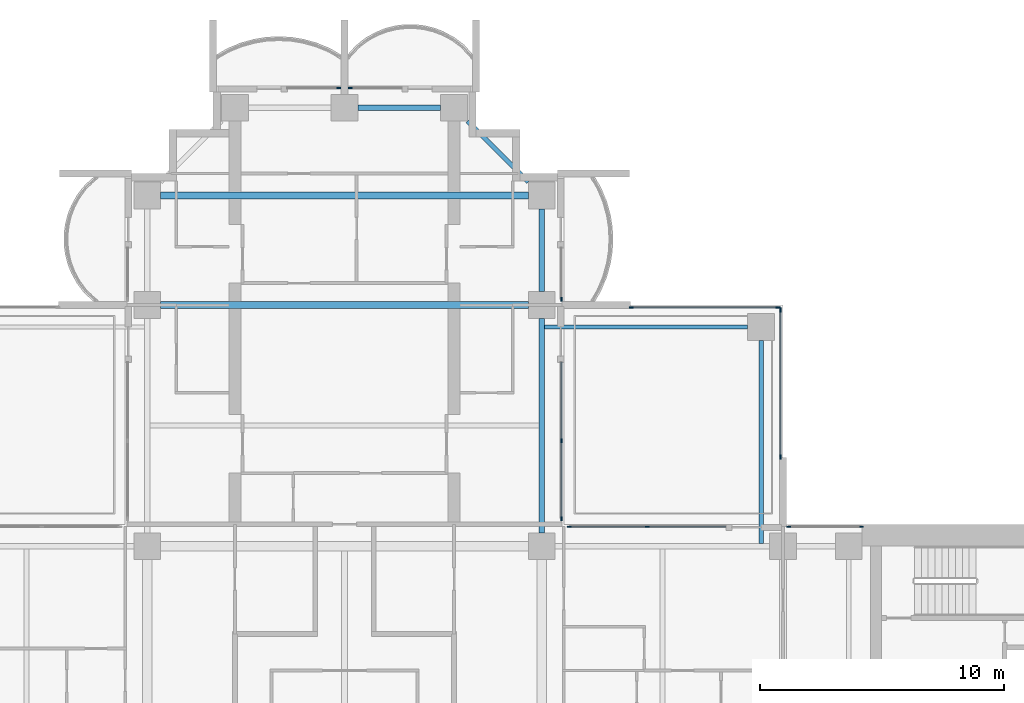
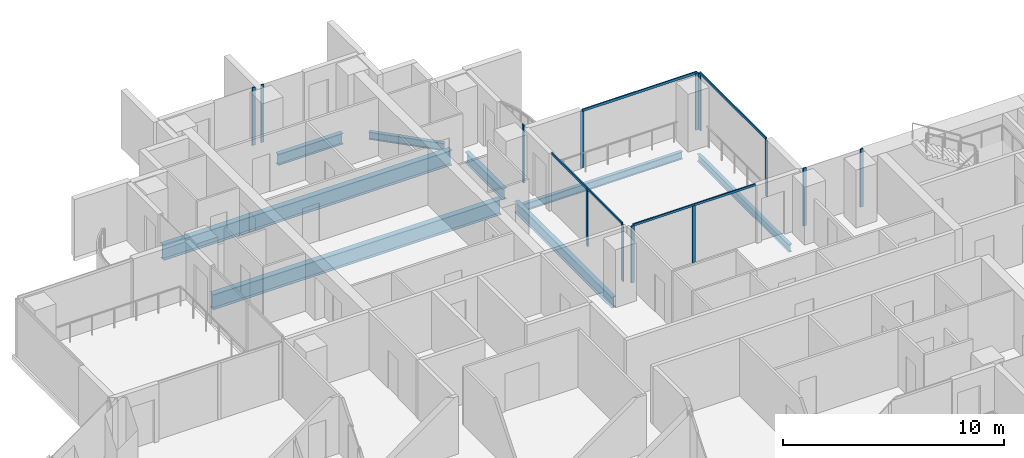
# One storey, part 6 of 19: 17 members, 8 beams, 8 elements without a shape of their own.
"""IFC4 building model written with IfcOpenShell, lengths in metres."""

from ifc_helpers import new_model, si_unit, direction, frame, origin, origin_2d, place, context, subcontext, project, spatial, rectangle, i_section, extrude, material, material_profile, profile_set, type_object, element, aggregate, save


model = new_model("IFC4")

# Units and contexts
model_context = context("Model", 3, precision=1e-05, world=origin(), true_north=direction((0.0, 1.0)))
body_context = subcontext(model_context, "Body", "Model", "MODEL_VIEW")
ifc_project = project(units=[si_unit("LENGTHUNIT", "METRE"), si_unit("AREAUNIT", "SQUARE_METRE"), si_unit("VOLUMEUNIT", "CUBIC_METRE"), si_unit("PLANEANGLEUNIT", "RADIAN"), si_unit("MASSUNIT", "GRAM", prefix="KILO")], contexts=[model_context])

# Site, building, storey
site_placement = place(None, origin())
site = spatial("IfcSite", under=ifc_project, at=site_placement, CompositionType="ELEMENT")
building_placement = place(site_placement, origin())
building = spatial("IfcBuilding", under=site, at=building_placement, Name="Perihelion Cross Residences", CompositionType="ELEMENT")
storey_placement = place(building_placement, frame((0.0, 0.0, 151.39990234375)))
storey = spatial("IfcBuildingStorey", under=building, at=storey_placement, Name="L37", CompositionType="ELEMENT", Elevation=151.39990234375)

# Curtain wall, members
ifc_material_1 = material(Name="Bronze anodised aluminium, tinted glazing", Category="aluminium")
curtain_wall_type_1 = type_object("IfcCurtainWallType", Name="CW1", PredefinedType="NOTDEFINED", material=ifc_material_1)
curtain_wall_1_placement = place(storey_placement, origin())
curtain_wall_1 = element("IfcCurtainWall", 1, at=curtain_wall_1_placement, inside=storey, type_object=curtain_wall_type_1, Name="Curtain wall CW1 L37 east side north bay 1", PredefinedType="NOTDEFINED")
ifc_material_2 = material(Name="Bronze anodised aluminium", Category="aluminium")
ifc_material_profile_1 = material_profile(ifc_material_2, rectangle(XDim=0.06005859375, YDim=0.159912109375, at=origin_2d()), Name="CW1 mullion")
ifc_profile_set_1 = profile_set([ifc_material_profile_1], Name="Bronze anodised aluminium")
member_type_1 = type_object("IfcMemberType", Name="CW1 mullion", PredefinedType="MULLION", material=ifc_profile_set_1)
member_1_placement = place(storey_placement, frame((21.219970703125, 8.89990234375, 0.0), z_axis=(0.0, 0.0, 1.0), x_axis=(0.0, -1.0, 0.0)))
member_1 = element("IfcMember", 2, at=member_1_placement, type_object=member_type_1, Name="CW1 mullion 1", PredefinedType="MULLION", context=body_context, shape_type="SweptSolid", body=[
    extrude(rectangle(XDim=0.06005859375, YDim=0.159912109375, at=origin_2d()), origin(), (0.0, 0.0, 1.0), 3.2001953125),
])
member_2_placement = place(storey_placement, frame((18.22998046875, 8.89990234375, 0.0), z_axis=(0.0, 0.0, 1.0), x_axis=(0.0, -1.0, 0.0)))
member_2 = element("IfcMember", 3, at=member_2_placement, type_object=member_type_1, Name="CW1 mullion 2", PredefinedType="MULLION", context=body_context, shape_type="SweptSolid", body=[
    extrude(rectangle(XDim=0.06005859375, YDim=0.159912109375, at=origin_2d()), origin(), (0.0, 0.0, 1.0), 3.2001953125),
])
aggregate(curtain_wall_1, [member_1, member_2])

curtain_wall_2_placement = place(storey_placement, origin())
curtain_wall_2 = element("IfcCurtainWall", 4, at=curtain_wall_2_placement, inside=storey, type_object=curtain_wall_type_1, Name="Curtain wall CW1 L37 east side north bay 2", PredefinedType="NOTDEFINED")
member_3_placement = place(storey_placement, frame((12.425048828125, 8.89990234375, 0.0), z_axis=(0.0, 0.0, 1.0), x_axis=(0.0, -1.0, 0.0)))
member_3 = element("IfcMember", 5, at=member_3_placement, type_object=member_type_1, Name="CW1 mullion 2", PredefinedType="MULLION", context=body_context, shape_type="SweptSolid", body=[
    extrude(rectangle(XDim=0.06005859375, YDim=0.159912109375, at=origin_2d()), origin(), (0.0, 0.0, 1.0), 3.14013671875),
])
member_4_placement = place(storey_placement, frame((9.22998046875, 8.89990234375, 0.0), z_axis=(0.0, 0.0, 1.0), x_axis=(0.0, -1.0, 0.0)))
member_4 = element("IfcMember", 6, at=member_4_placement, type_object=member_type_1, Name="CW1 mullion 3", PredefinedType="MULLION", context=body_context, shape_type="SweptSolid", body=[
    extrude(rectangle(XDim=0.06005859375, YDim=0.159912109375, at=origin_2d()), origin(), (0.0, 0.0, 1.0), 3.14013671875),
])

curtain_wall_3_placement = place(storey_placement, origin())
curtain_wall_3 = element("IfcCurtainWall", 7, at=curtain_wall_3_placement, inside=storey, type_object=curtain_wall_type_1, Name="Curtain wall CW1 L37 north side east bay 1", PredefinedType="NOTDEFINED")
member_5_placement = place(storey_placement, frame((8.89990234375, 9.22998046875, 0.0), z_axis=(0.0, 0.0, 1.0), x_axis=(-1.0, 0.0, 0.0)))
member_5 = element("IfcMember", 8, at=member_5_placement, type_object=member_type_1, Name="CW1 mullion 1", PredefinedType="MULLION", context=body_context, shape_type="SweptSolid", body=[
    extrude(rectangle(XDim=0.06005859375, YDim=0.159912109375, at=origin_2d()), origin(), (0.0, 0.0, 1.0), 3.14013671875),
])
member_6_placement = place(storey_placement, frame((8.89990234375, 12.425048828125, 0.0), z_axis=(0.0, 0.0, 1.0), x_axis=(-1.0, 0.0, 0.0)))
member_6 = element("IfcMember", 9, at=member_6_placement, type_object=member_type_1, Name="CW1 mullion 2", PredefinedType="MULLION", context=body_context, shape_type="SweptSolid", body=[
    extrude(rectangle(XDim=0.06005859375, YDim=0.159912109375, at=origin_2d()), origin(), (0.0, 0.0, 1.0), 3.14013671875),
])

# Curtain wall, member
curtain_wall_4_placement = place(storey_placement, origin())
curtain_wall_4 = element("IfcCurtainWall", 10, at=curtain_wall_4_placement, inside=storey, type_object=curtain_wall_type_1, Name="Curtain wall CW1 L37 north side east bay 2", PredefinedType="NOTDEFINED")
member_7_placement = place(storey_placement, frame((8.89990234375, 18.22998046875, 0.0), z_axis=(0.0, 0.0, 1.0), x_axis=(-1.0, 0.0, 0.0)))
member_7 = element("IfcMember", 11, at=member_7_placement, type_object=member_type_1, Name="CW1 mullion 1", PredefinedType="MULLION", context=body_context, shape_type="SweptSolid", body=[
    extrude(rectangle(XDim=0.06005859375, YDim=0.159912109375, at=origin_2d()), origin(), (0.0, 0.0, 1.0), 3.2001953125),
])
aggregate(curtain_wall_4, [member_7])

curtain_wall_5_placement = place(storey_placement, origin())
curtain_wall_5 = element("IfcCurtainWall", 12, at=curtain_wall_5_placement, inside=storey, type_object=curtain_wall_type_1, Name="Curtain wall CW1 L37 north tip north bay 1", PredefinedType="NOTDEFINED")
member_8_placement = place(storey_placement, frame((0.22998046875, 26.89990234375, 0.0), z_axis=(0.0, 0.0, 1.0), x_axis=(0.0, -1.0, 0.0)))
member_8 = element("IfcMember", 13, at=member_8_placement, type_object=member_type_1, Name="CW1 mullion 2", PredefinedType="MULLION", context=body_context, shape_type="SweptSolid", body=[
    extrude(rectangle(XDim=0.06005859375, YDim=0.159912109375, at=origin_2d()), origin(), (0.0, 0.0, 1.0), 3.2001953125),
])
aggregate(curtain_wall_5, [member_8])

curtain_wall_6_placement = place(storey_placement, origin())
curtain_wall_6 = element("IfcCurtainWall", 14, at=curtain_wall_6_placement, inside=storey, type_object=curtain_wall_type_1, Name="Curtain wall CW1 L37 north tip north bay 2", PredefinedType="NOTDEFINED")
member_9_placement = place(storey_placement, frame((-0.22998046875, 26.89990234375, 0.0), z_axis=(0.0, 0.0, 1.0), x_axis=(0.0, -1.0, 0.0)))
member_9 = element("IfcMember", 15, at=member_9_placement, type_object=member_type_1, Name="CW1 mullion 1", PredefinedType="MULLION", context=body_context, shape_type="SweptSolid", body=[
    extrude(rectangle(XDim=0.06005859375, YDim=0.159912109375, at=origin_2d()), origin(), (0.0, 0.0, 1.0), 3.2001953125),
])
aggregate(curtain_wall_6, [member_9])

# Member
ifc_material_3 = material(Name="Bronze anodised aluminium", Category="aluminium")
ifc_material_profile_2 = material_profile(ifc_material_3, rectangle(XDim=0.06005859375, YDim=0.1201171875, at=origin_2d()), Name="CW1 transom")
ifc_profile_set_2 = profile_set([ifc_material_profile_2], Name="Bronze anodised aluminium")
member_type_2 = type_object("IfcMemberType", Name="CW1 transom", PredefinedType="USERDEFINED", material=ifc_profile_set_2)
member_10_placement = place(storey_placement, frame((15.64990234375, 8.89990234375, 3.170166015625), z_axis=(-1.0, 0.0, 0.0), x_axis=(0.0, -1.0, 0.0)))
member_10 = element("IfcMember", 16, at=member_10_placement, type_object=member_type_2, Name="CW1 head transom", ObjectType="TRANSOM", PredefinedType="USERDEFINED", context=body_context, shape_type="SweptSolid", body=[
    extrude(rectangle(XDim=0.06005859375, YDim=0.1201171875, at=origin_2d()), origin(), (0.0, 0.0, 1.0), 6.419921875),
])

aggregate(curtain_wall_2, [member_3, member_4, member_10])

member_11_placement = place(storey_placement, frame((8.89990234375, 9.22998046875, 3.170166015625), z_axis=(0.0, 1.0, 0.0), x_axis=(-1.0, 0.0, 0.0)))
member_11 = element("IfcMember", 17, at=member_11_placement, type_object=member_type_2, Name="CW1 head transom", ObjectType="TRANSOM", PredefinedType="USERDEFINED", context=body_context, shape_type="SweptSolid", body=[
    extrude(rectangle(XDim=0.06005859375, YDim=0.1201171875, at=origin_2d()), origin(), (0.0, 0.0, 1.0), 6.419921875),
])

aggregate(curtain_wall_3, [member_5, member_6, member_11])

# Curtain wall, members
ifc_material_4 = material(Name="Bronze anodised aluminium, tinted glazing", Category="aluminium")
curtain_wall_type_2 = type_object("IfcCurtainWallType", Name="CW4", PredefinedType="NOTDEFINED", material=ifc_material_4)
curtain_wall_7_placement = place(storey_placement, origin())
curtain_wall_7 = element("IfcCurtainWall", 18, at=curtain_wall_7_placement, inside=storey, type_object=curtain_wall_type_2, Name="Curtain wall CW4 L37 pocket north-east 1 1", PredefinedType="NOTDEFINED")
ifc_material_5 = material(Name="Bronze anodised aluminium", Category="aluminium")
ifc_material_profile_3 = material_profile(ifc_material_5, rectangle(XDim=0.06005859375, YDim=0.179931640625, at=origin_2d()), Name="CW4 mullion")
ifc_profile_set_3 = profile_set([ifc_material_profile_3], Name="Bronze anodised aluminium")
member_type_3 = type_object("IfcMemberType", Name="CW4 mullion", PredefinedType="MULLION", material=ifc_profile_set_3)
member_12_placement = place(storey_placement, frame((11.77001953125, 17.89990234375, 0.0), z_axis=(0.0, 0.0, 1.0), x_axis=(0.0, 1.0, 0.0)))
member_12 = element("IfcMember", 19, at=member_12_placement, type_object=member_type_3, Name="CW4 mullion 1", PredefinedType="MULLION", context=body_context, shape_type="SweptSolid", body=[
    extrude(rectangle(XDim=0.06005859375, YDim=0.179931640625, at=origin_2d()), origin(), (0.0, 0.0, 1.0), 3.14013671875),
])
member_13_placement = place(storey_placement, frame((17.800048828125, 17.89990234375, 0.0), z_axis=(0.0, 0.0, 1.0), x_axis=(0.0, 1.0, 0.0)))
member_13 = element("IfcMember", 20, at=member_13_placement, type_object=member_type_3, Name="CW4 mullion 2", PredefinedType="MULLION", context=body_context, shape_type="SweptSolid", body=[
    extrude(rectangle(XDim=0.06005859375, YDim=0.179931640625, at=origin_2d()), origin(), (0.0, 0.0, 1.0), 3.14013671875),
])

curtain_wall_8_placement = place(storey_placement, origin())
curtain_wall_8 = element("IfcCurtainWall", 21, at=curtain_wall_8_placement, inside=storey, type_object=curtain_wall_type_2, Name="Curtain wall CW4 L37 pocket north-east 1 2", PredefinedType="NOTDEFINED")
member_14_placement = place(storey_placement, frame((17.89990234375, 17.800048828125, 0.0), z_axis=(0.0, 0.0, 1.0), x_axis=(1.0, 0.0, 0.0)))
member_14 = element("IfcMember", 22, at=member_14_placement, type_object=member_type_3, Name="CW4 mullion 1", PredefinedType="MULLION", context=body_context, shape_type="SweptSolid", body=[
    extrude(rectangle(XDim=0.06005859375, YDim=0.179931640625, at=origin_2d()), origin(), (0.0, 0.0, 1.0), 3.14013671875),
])
member_15_placement = place(storey_placement, frame((17.89990234375, 11.77001953125, 0.0), z_axis=(0.0, 0.0, 1.0), x_axis=(1.0, 0.0, 0.0)))
member_15 = element("IfcMember", 23, at=member_15_placement, type_object=member_type_3, Name="CW4 mullion 2", PredefinedType="MULLION", context=body_context, shape_type="SweptSolid", body=[
    extrude(rectangle(XDim=0.06005859375, YDim=0.179931640625, at=origin_2d()), origin(), (0.0, 0.0, 1.0), 3.14013671875),
])

# Member
ifc_material_6 = material(Name="Bronze anodised aluminium", Category="aluminium")
ifc_material_profile_4 = material_profile(ifc_material_6, rectangle(XDim=0.06005859375, YDim=0.139892578125, at=origin_2d()), Name="CW4 transom")
ifc_profile_set_4 = profile_set([ifc_material_profile_4], Name="Bronze anodised aluminium")
member_type_4 = type_object("IfcMemberType", Name="CW4 transom", PredefinedType="USERDEFINED", material=ifc_profile_set_4)
member_16_placement = place(storey_placement, frame((11.77001953125, 17.89990234375, 3.170166015625), z_axis=(1.0, 0.0, 0.0), x_axis=(0.0, 1.0, 0.0)))
member_16 = element("IfcMember", 24, at=member_16_placement, type_object=member_type_4, Name="CW4 head transom", ObjectType="TRANSOM", PredefinedType="USERDEFINED", context=body_context, shape_type="SweptSolid", body=[
    extrude(rectangle(XDim=0.06005859375, YDim=0.139892578125, at=origin_2d()), origin(), (0.0, 0.0, 1.0), 6.030029296875),
])

aggregate(curtain_wall_7, [member_12, member_13, member_16])

member_17_placement = place(storey_placement, frame((17.89990234375, 17.800048828125, 3.170166015625), z_axis=(0.0, -1.0, 0.0), x_axis=(1.0, 0.0, 0.0)))
member_17 = element("IfcMember", 25, at=member_17_placement, type_object=member_type_4, Name="CW4 head transom", ObjectType="TRANSOM", PredefinedType="USERDEFINED", context=body_context, shape_type="SweptSolid", body=[
    extrude(rectangle(XDim=0.06005859375, YDim=0.139892578125, at=origin_2d()), origin(), (0.0, 0.0, 1.0), 6.030029296875),
])

aggregate(curtain_wall_8, [member_14, member_15, member_17])

# Beams
ifc_material_7 = material(Name="Steel S355", Category="steel")
ifc_material_profile_5 = material_profile(ifc_material_7, i_section(OverallWidth=0.177978515625, OverallDepth=0.406005859375, WebThickness=0.0078125, FlangeThickness=0.0126953125, at=origin_2d()), Name="W410x60")
ifc_profile_set_5 = profile_set([ifc_material_profile_5], Name="Steel S355")
beam_type_1 = type_object("IfcBeamType", Name="Core edge beam W410x60", PredefinedType="BEAM", material=ifc_profile_set_5)
for number, where, z_axis, x_axis, name in (
    (26, (17.10009765625, 8.214599609375, -0.452880859375), (0.0, 1.0, 0.0), (-1.0, 0.0, 0.0), "Core edge beam TB2 L37 corner no. 7"),
    (27, (8.214599609375, 17.10009765625, -0.452880859375), (1.0, 0.0, 0.0), (0.0, 1.0, 0.0), "Core edge beam TB2 L37 corner no. 8"),
):
    element("IfcBeam", number, at=place(storey_placement, frame(where, z_axis=z_axis, x_axis=x_axis)), inside=storey, type_object=beam_type_1, Name=name, PredefinedType="BEAM", context=body_context, shape_type="SweptSolid", body=[
        extrude(i_section(OverallWidth=0.177978515625, OverallDepth=0.406005859375, WebThickness=0.0078125, FlangeThickness=0.0126953125, at=origin_2d()), origin(), (0.0, 0.0, 1.0), 8.33544921875),
    ])
ifc_material_8 = material(Name="Steel S355", Category="steel")
ifc_material_profile_6 = material_profile(ifc_material_8, i_section(OverallWidth=0.22900390625, OverallDepth=0.612060546875, WebThickness=0.011962890625, FlangeThickness=0.01953125, at=origin_2d()), Name="W610x125")
ifc_profile_set_6 = profile_set([ifc_material_profile_6], Name="Steel S355")
beam_type_2 = type_object("IfcBeamType", Name="Edge beam W610x125", PredefinedType="SPANDREL", material=ifc_profile_set_6)
beam_1_placement = place(storey_placement, frame((8.10009765625, 8.64990234375, -0.555908203125), z_axis=(0.0, 1.0, 0.0), x_axis=(-1.0, 0.0, 0.0)))
element("IfcBeam", 28, at=beam_1_placement, inside=storey, type_object=beam_type_2, Name="Edge beam SB3 L37 no. 18", PredefinedType="SPANDREL", context=body_context, shape_type="SweptSolid", body=[
    extrude(i_section(OverallWidth=0.22900390625, OverallDepth=0.612060546875, WebThickness=0.011962890625, FlangeThickness=0.01953125, at=origin_2d()), origin(), (0.0, 0.0, 1.0), 8.800048828125),
])
for number, where, z_axis, x_axis, name in (
    (29, (8.10009765625, 18.550048828125, -0.555908203125), (0.0, 1.0, 0.0), (-1.0, 0.0, 0.0), "Edge beam SB3 L37 no. 17"),
    (30, (3.949951171875, 26.10009765625, -0.555908203125), (-1.0, 0.0, 0.0), (0.0, -1.0, 0.0), "Edge beam SB3 L37 no. 14"),
):
    element("IfcBeam", number, at=place(storey_placement, frame(where, z_axis=z_axis, x_axis=x_axis)), inside=storey, type_object=beam_type_2, Name=name, PredefinedType="SPANDREL", context=body_context, shape_type="SweptSolid", body=[
        extrude(i_section(OverallWidth=0.22900390625, OverallDepth=0.612060546875, WebThickness=0.011962890625, FlangeThickness=0.01953125, at=origin_2d()), origin(), (0.0, 0.0, 1.0), 3.39990234375),
    ])
ifc_material_9 = material(Name="Steel S355", Category="steel")
ifc_material_profile_7 = material_profile(ifc_material_9, i_section(OverallWidth=0.2919921875, OverallDepth=0.8359375, WebThickness=0.013916015625, FlangeThickness=0.018798828125, at=origin_2d()), Name="W840x176")
ifc_profile_set_7 = profile_set([ifc_material_profile_7], Name="Steel S355")
beam_type_3 = type_object("IfcBeamType", Name="Floor girder W840x176", PredefinedType="BEAM", material=ifc_profile_set_7)
for number, where, z_axis, x_axis, name in (
    (31, (-7.550048828125, 18.0, -0.66796875), (1.0, 0.0, 0.0), (0.0, 1.0, 0.0), "Girder G3 L37 no. 4"),
    (32, (-7.550048828125, 22.5, -0.66796875), (1.0, 0.0, 0.0), (0.0, 1.0, 0.0), "Girder G3 L37 no. 5"),
):
    element("IfcBeam", number, at=place(storey_placement, frame(where, z_axis=z_axis, x_axis=x_axis)), inside=storey, type_object=beam_type_3, Name=name, PredefinedType="BEAM", context=body_context, shape_type="SweptSolid", body=[
        extrude(i_section(OverallWidth=0.2919921875, OverallDepth=0.8359375, WebThickness=0.013916015625, FlangeThickness=0.018798828125, at=origin_2d()), origin(), (0.0, 0.0, 1.0), 15.10009765625),
    ])
ifc_material_10 = material(Name="Steel S355", Category="steel")
ifc_material_profile_8 = material_profile(ifc_material_10, i_section(OverallWidth=0.180908203125, OverallDepth=0.4169921875, WebThickness=0.010986328125, FlangeThickness=0.018310546875, at=origin_2d()), Name="W410x85")
ifc_profile_set_8 = profile_set([ifc_material_profile_8], Name="Steel S355")
beam_type_4 = type_object("IfcBeamType", Name="Serration edge beam W410x85", PredefinedType="BEAM", material=ifc_profile_set_8)
beam_2_placement = place(storey_placement, frame((7.550048828125, 23.050048828125, -0.45849609375), z_axis=(-0.707106781187, 0.707106781187, 0.0), x_axis=(-0.707106781187, -0.707106781187, 0.0)))
element("IfcBeam", 33, at=beam_2_placement, inside=storey, type_object=beam_type_4, Name="Serration edge beam EB3 L37 no. 4", PredefinedType="BEAM", context=body_context, shape_type="SweptSolid", body=[
    extrude(i_section(OverallWidth=0.180908203125, OverallDepth=0.4169921875, WebThickness=0.010986328125, FlangeThickness=0.018310546875, at=origin_2d()), origin(), (0.0, 0.0, 1.0), 3.53564453125),
])

save(model, "model.ifc")
